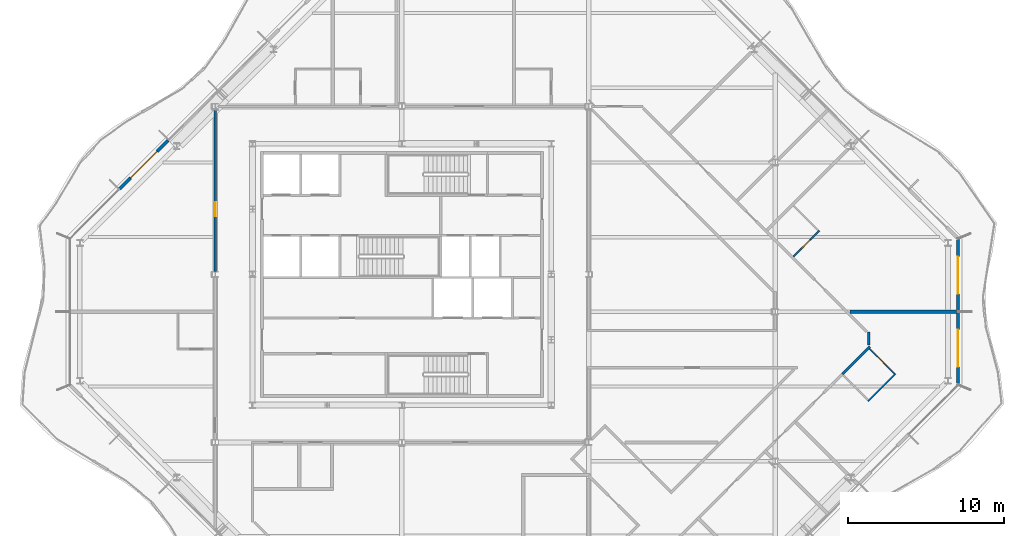
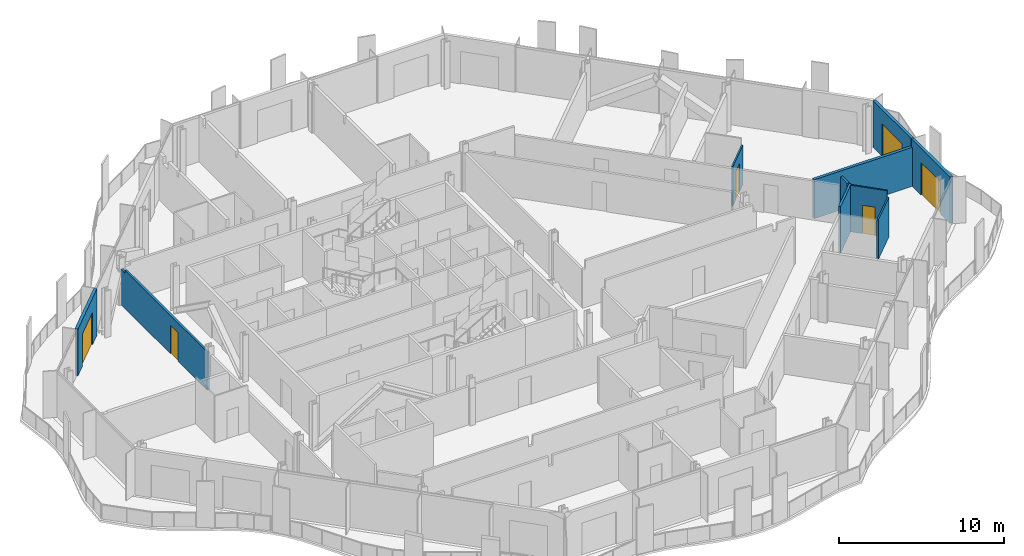
# One storey, part 10 of 17: 10 walls, 6 doors, 6 openings.
"""IFC4 building model written with IfcOpenShell, lengths in metres."""

from ifc_helpers import new_model, si_unit, direction, frame, frame_2d, origin, place, context, subcontext, project, spatial, polyline, rectangle, outline, extrude, material, layer, layer_set, type_object, element, fill, save


model = new_model("IFC4")

# Units and contexts
model_context = context("Model", 3, precision=1e-05, world=origin(), true_north=direction((0.0, 1.0)))
body_context = subcontext(model_context, "Body", "Model", "MODEL_VIEW")
ifc_project = project(units=[si_unit("LENGTHUNIT", "METRE"), si_unit("AREAUNIT", "SQUARE_METRE"), si_unit("VOLUMEUNIT", "CUBIC_METRE"), si_unit("PLANEANGLEUNIT", "RADIAN"), si_unit("MASSUNIT", "GRAM", prefix="KILO")], contexts=[model_context])

# Site, building, storey
site_placement = place(None, origin())
site = spatial("IfcSite", under=ifc_project, at=site_placement, CompositionType="ELEMENT")
building_placement = place(site_placement, origin())
building = spatial("IfcBuilding", under=site, at=building_placement, Name="Cairn Pilgrim Tower", CompositionType="ELEMENT")
storey_placement = place(building_placement, frame((0.0, 0.0, 235.800048828125)))
storey = spatial("IfcBuildingStorey", under=building, at=storey_placement, Name="L60", CompositionType="ELEMENT", Elevation=235.800048828125)

# Wall, opening, door
ifc_material_1 = material(Name="Bronze anodised aluminium insulated sandwich panel with mineral wool fill", Category="aluminium")
ifc_layer_1 = layer(ifc_material_1, 0.199951171875)
ifc_layer_set_1 = layer_set([ifc_layer_1], Name="BRONZE INFILL FRAME WALL 200")
wall_type_1 = type_object("IfcWallType", Name="BRONZE INFILL FRAME WALL 200", PredefinedType="NOTDEFINED", material=ifc_layer_set_1)
wall_1_placement = place(storey_placement, frame((42.949951171875, -4.656494140625, 0.0), z_axis=(0.0, 0.0, 1.0), x_axis=(0.0, 1.0, 0.0)))
wall_1 = element("IfcWall", 1, at=wall_1_placement, inside=storey, type_object=wall_type_1, Name="Bronze infill frame wall IW-E1", PredefinedType="NOTDEFINED", context=body_context, shape_type="SweptSolid", body=[
    extrude(rectangle(XDim=4.62646484375, YDim=0.199951171875, at=frame_2d((2.313232421875, 0.0))), origin(), (0.0, 0.0, 1.0), 3.449951171875),
])
opening_1_placement = place(wall_1_placement, frame((1.1083984375, 0.0, 0.0)))
opening_1 = element("IfcOpeningElement", 2, at=opening_1_placement, cuts=wall_1, Name="Opening 6004B", PredefinedType="OPENING", context=body_context, shape_type="SweptSolid", body=[
    extrude(rectangle(XDim=2.39990234375, YDim=2.39990234375, at=frame_2d((1.199951171875, 1.199951171875))), frame((0.0, 0.10986328125, 0.0), z_axis=(0.0, -1.0, 0.0), x_axis=(1.0, 0.0, 0.0)), (0.0, 0.0, 1.0), 0.219970703125),
])
ifc_material_2 = material(Name="Bronze anodised aluminium frame with tinted low-E glass", Category="aluminium")
door_type_1 = type_object("IfcDoorType", Name="BALCONY SLIDING DOOR 2400x2400", OperationType="DOUBLE_DOOR_SLIDING", PredefinedType="DOOR", material=ifc_material_2)
door_1_placement = place(opening_1_placement, origin())
door_1 = element("IfcDoor", 3, at=door_1_placement, inside=storey, type_object=door_type_1, Name="Balcony sliding door 6004B", OperationType="SINGLE_SWING_LEFT", OverallHeight=2.39990234375, OverallWidth=2.39990234375, PredefinedType="DOOR", context=body_context, shape_type="SweptSolid", body=[
    extrude(rectangle(XDim=2.39990234375, YDim=2.39990234375, at=frame_2d((1.199951171875, 1.199951171875))), frame((0.0, 0.02490234375, 0.0), z_axis=(0.0, -1.0, 0.0), x_axis=(1.0, 0.0, 0.0)), (0.0, 0.0, 1.0), 0.050048828125),
])
fill(opening_1, door_1)

wall_2_placement = place(storey_placement, frame((42.949951171875, 0.030029296875, 0.0), z_axis=(0.0, 0.0, 1.0), x_axis=(0.0, 1.0, 0.0)))
wall_2 = element("IfcWall", 4, at=wall_2_placement, inside=storey, type_object=wall_type_1, Name="Bronze infill frame wall IW-E2", PredefinedType="NOTDEFINED", context=body_context, shape_type="SweptSolid", body=[
    extrude(rectangle(XDim=4.62646484375, YDim=0.199951171875, at=frame_2d((2.313232421875, 0.0))), origin(), (0.0, 0.0, 1.0), 3.449951171875),
])
opening_2_placement = place(wall_2_placement, frame((1.117919921875, 0.0, 0.0)))
opening_2 = element("IfcOpeningElement", 5, at=opening_2_placement, cuts=wall_2, Name="Opening 6005B2", PredefinedType="OPENING", context=body_context, shape_type="SweptSolid", body=[
    extrude(rectangle(XDim=2.39990234375, YDim=2.39990234375, at=frame_2d((1.199951171875, 1.199951171875))), frame((0.0, 0.10986328125, 0.0), z_axis=(0.0, -1.0, 0.0), x_axis=(1.0, 0.0, 0.0)), (0.0, 0.0, 1.0), 0.219970703125),
])
door_2_placement = place(opening_2_placement, origin())
door_2 = element("IfcDoor", 6, at=door_2_placement, inside=storey, type_object=door_type_1, Name="Balcony sliding door 6005B2", OperationType="SINGLE_SWING_LEFT", OverallHeight=2.39990234375, OverallWidth=2.39990234375, PredefinedType="DOOR", context=body_context, shape_type="SweptSolid", body=[
    extrude(rectangle(XDim=2.39990234375, YDim=2.39990234375, at=frame_2d((1.199951171875, 1.199951171875))), frame((0.0, 0.02490234375, 0.0), z_axis=(0.0, -1.0, 0.0), x_axis=(1.0, 0.0, 0.0)), (0.0, 0.0, 1.0), 0.050048828125),
])
fill(opening_2, door_2)

wall_3_placement = place(storey_placement, frame((-7.820068359375, 11.0263671875, 0.0), z_axis=(0.0, 0.0, 1.0), x_axis=(-0.707106781187, -0.707106781187, 0.0)))
wall_3 = element("IfcWall", 7, at=wall_3_placement, inside=storey, type_object=wall_type_1, Name="Bronze infill frame wall IW-NW5", PredefinedType="NOTDEFINED", context=body_context, shape_type="SweptSolid", body=[
    extrude(rectangle(XDim=4.430908203125, YDim=0.199951171875, at=frame_2d((2.21533203125, 0.0))), origin(), (0.0, 0.0, 1.0), 3.449951171875),
])
opening_3_placement = place(wall_3_placement, frame((1.015869140625, 0.0, 0.0)))
opening_3 = element("IfcOpeningElement", 8, at=opening_3_placement, cuts=wall_3, Name="Opening 6011B", PredefinedType="OPENING", context=body_context, shape_type="SweptSolid", body=[
    extrude(rectangle(XDim=2.39990234375, YDim=2.39990234375, at=frame_2d((1.199951171875, 1.199951171875))), frame((0.0, 0.10986328125, 0.0), z_axis=(0.0, -1.0, 0.0), x_axis=(1.0, 0.0, 0.0)), (0.0, 0.0, 1.0), 0.219970703125),
])
door_3_placement = place(opening_3_placement, origin())
door_3 = element("IfcDoor", 9, at=door_3_placement, inside=storey, type_object=door_type_1, Name="Balcony sliding door 6011B", OperationType="SINGLE_SWING_LEFT", OverallHeight=2.39990234375, OverallWidth=2.39990234375, PredefinedType="DOOR", context=body_context, shape_type="SweptSolid", body=[
    extrude(rectangle(XDim=2.39990234375, YDim=2.39990234375, at=frame_2d((1.199951171875, 1.199951171875))), frame((0.0, 0.02490234375, 0.0), z_axis=(0.0, -1.0, 0.0), x_axis=(1.0, 0.0, 0.0)), (0.0, 0.0, 1.0), 0.050048828125),
])
fill(opening_3, door_3)

# Wall
ifc_material_3 = material(Name="Gypsum partition")
ifc_layer_2 = layer(ifc_material_3, 0.10009765625)
ifc_layer_set_2 = layer_set([ifc_layer_2], Name="PARTITION 100 DRYWALL")
wall_type_2 = type_object("IfcWallType", Name="PARTITION 100 DRYWALL", PredefinedType="PARTITIONING", material=ifc_layer_set_2)
wall_4_placement = place(storey_placement, frame((37.16455078125, -5.744384765625, 0.0), z_axis=(0.0, 0.0, 1.0), x_axis=(0.707155609469, 0.707057949532, 0.0)))
element("IfcWall", 10, at=wall_4_placement, inside=storey, type_object=wall_type_2, Name="PARTITION W043", PredefinedType="PARTITIONING", context=body_context, shape_type="SweptSolid", body=[
    extrude(rectangle(XDim=2.5, YDim=0.10009765625, at=frame_2d((1.25, 0.0))), origin(), (0.0, 0.0, 1.0), 2.929931640625),
])

# Wall, opening, door
wall_5_placement = place(storey_placement, frame((38.861572265625, -3.9765625, 0.0), z_axis=(0.0, 0.0, 1.0), x_axis=(-0.707106781187, 0.707106781187, 0.0)))
wall_5 = element("IfcWall", 11, at=wall_5_placement, inside=storey, type_object=wall_type_2, Name="PARTITION W045", PredefinedType="PARTITIONING", context=body_context, shape_type="SweptSolid", body=[
    extrude(rectangle(XDim=2.27490234375, YDim=0.10009765625, at=frame_2d((1.137451171875, 0.0))), origin(), (0.0, 0.0, 1.0), 3.449951171875),
])
opening_4_placement = place(wall_5_placement, frame((0.75, 0.0, 0.0)))
opening_4 = element("IfcOpeningElement", 12, at=opening_4_placement, cuts=wall_5, Name="Opening 6004A", PredefinedType="OPENING", context=body_context, shape_type="SweptSolid", body=[
    extrude(rectangle(XDim=0.800048828125, YDim=2.10009765625, at=frame_2d((0.39990234375, 1.050048828125))), frame((0.0, 0.06005859375, 0.0), z_axis=(0.0, -1.0, 0.0), x_axis=(1.0, 0.0, 0.0)), (0.0, 0.0, 1.0), 0.1201171875),
])
ifc_material_4 = material(Name="Timber door leaf", Category="wood")
door_type_2 = type_object("IfcDoorType", Name="WC DOOR 800x2100", OperationType="NOTDEFINED", PredefinedType="DOOR", material=ifc_material_4)
door_4_placement = place(opening_4_placement, frame((0.800048828125, 0.0, 0.0), z_axis=(0.0, 0.0, 1.0), x_axis=(-1.0, 0.0, 0.0)))
door_4 = element("IfcDoor", 13, at=door_4_placement, inside=storey, type_object=door_type_2, Name="DOOR 6004A", OperationType="SINGLE_SWING_RIGHT", OverallHeight=2.10009765625, OverallWidth=0.800048828125, PredefinedType="DOOR", context=body_context, shape_type="SweptSolid", body=[
    extrude(rectangle(XDim=0.800048828125, YDim=2.10009765625, at=frame_2d((0.39990234375, 1.050048828125))), frame((0.0, 0.02490234375, 0.0), z_axis=(0.0, -1.0, 0.0), x_axis=(1.0, 0.0, 0.0)), (0.0, 0.0, 1.0), 0.050048828125),
])
fill(opening_4, door_4)

wall_6_placement = place(storey_placement, frame((32.35888671875, 3.541015625, 0.0), z_axis=(0.0, 0.0, 1.0), x_axis=(0.707158179099, 0.707055379538, 0.0)))
wall_6 = element("IfcWall", 14, at=wall_6_placement, inside=storey, type_object=wall_type_2, Name="PARTITION W060", PredefinedType="PARTITIONING", context=body_context, shape_type="SweptSolid", body=[
    extrude(rectangle(XDim=2.375, YDim=0.10009765625, at=frame_2d((1.1875, 0.0))), origin(), (0.0, 0.0, 1.0), 2.929931640625),
])
opening_5_placement = place(wall_6_placement, frame((0.72509765625, 0.0, 0.0)))
opening_5 = element("IfcOpeningElement", 15, at=opening_5_placement, cuts=wall_6, Name="Opening 6005A", PredefinedType="OPENING", context=body_context, shape_type="SweptSolid", body=[
    extrude(rectangle(XDim=0.800048828125, YDim=2.10009765625, at=frame_2d((0.39990234375, 1.050048828125))), frame((0.0, 0.06005859375, 0.0), z_axis=(0.0, -1.0, 0.0), x_axis=(1.0, 0.0, 0.0)), (0.0, 0.0, 1.0), 0.1201171875),
])
door_5_placement = place(opening_5_placement, frame((0.800048828125, 0.0, 0.0), z_axis=(0.0, 0.0, 1.0), x_axis=(-1.0, 0.0, 0.0)))
door_5 = element("IfcDoor", 16, at=door_5_placement, inside=storey, type_object=door_type_2, Name="DOOR 6005A", OperationType="SINGLE_SWING_RIGHT", OverallHeight=2.10009765625, OverallWidth=0.800048828125, PredefinedType="DOOR", context=body_context, shape_type="SweptSolid", body=[
    extrude(rectangle(XDim=0.800048828125, YDim=2.10009765625, at=frame_2d((0.39990234375, 1.050048828125))), frame((0.0, 0.02490234375, 0.0), z_axis=(0.0, -1.0, 0.0), x_axis=(1.0, 0.0, 0.0)), (0.0, 0.0, 1.0), 0.050048828125),
])
fill(opening_5, door_5)

# Walls
ifc_layer_3 = layer(ifc_material_3, 0.14990234375)
ifc_layer_set_3 = layer_set([ifc_layer_3], Name="PARTITION 150 DRYWALL EI 60")
wall_type_3 = type_object("IfcWallType", Name="PARTITION 150 DRYWALL EI 60", PredefinedType="PARTITIONING", material=ifc_layer_set_3)
wall_7_placement = place(storey_placement, frame((35.5029296875, -4.011962890625, 0.0), z_axis=(0.0, 0.0, 1.0), x_axis=(0.707106781187, 0.707106781187, 0.0)))
element("IfcWall", 17, at=wall_7_placement, inside=storey, type_object=wall_type_3, Name="PARTITION W044", PredefinedType="PARTITIONING", context=body_context, shape_type="SweptSolid", body=[
    extrude(rectangle(XDim=2.505859375, YDim=0.14990234375, at=frame_2d((1.2529296875, 0.0))), origin(), (0.0, 0.0, 1.0), 3.449951171875),
])
wall_8_placement = place(storey_placement, frame((37.199951171875, -2.1337890625, 0.0), z_axis=(0.0, 0.0, 1.0), x_axis=(0.0, 1.0, 0.0)))
element("IfcWall", 18, at=wall_8_placement, inside=storey, type_object=wall_type_3, Name="PARTITION W049", PredefinedType="PARTITIONING", context=body_context, shape_type="SweptSolid", body=[
    extrude(rectangle(XDim=0.833984375, YDim=0.14990234375, at=frame_2d((0.4169921875, 0.0))), origin(), (0.0, 0.0, 1.0), 3.449951171875),
])

# Wall, opening, door
wall_9_placement = place(storey_placement, frame((-4.800048828125, 2.58740234375, 0.0), z_axis=(0.0, 0.0, 1.0), x_axis=(0.0, 1.0, 0.0)))
wall_9 = element("IfcWall", 19, at=wall_9_placement, inside=storey, type_object=wall_type_3, Name="PARTITION W058", PredefinedType="PARTITIONING", context=body_context, shape_type="SweptSolid", body=[
    extrude(outline(polyline([(0.0, 0.0), (10.425048828125, 0.0), (10.425048828125, 2.6298828125), (9.9697265625, 2.6298828125), (9.9677734375, 2.829833984375), (0.0, 2.829833984375), (0.0, 0.0)])), frame((0.0, 0.074951171875, 0.0), z_axis=(0.0, -1.0, 0.0), x_axis=(1.0, 0.0, 0.0)), (0.0, 0.0, 1.0), 0.14990234375),
])
opening_6_placement = place(wall_9_placement, frame((3.5625, 0.0, 0.0)))
opening_6 = element("IfcOpeningElement", 20, at=opening_6_placement, cuts=wall_9, Name="Opening 6011", PredefinedType="OPENING", context=body_context, shape_type="SweptSolid", body=[
    extrude(rectangle(XDim=0.89990234375, YDim=2.10009765625, at=frame_2d((0.449951171875, 1.050048828125))), frame((0.0, 0.0849609375, 0.0), z_axis=(0.0, -1.0, 0.0), x_axis=(1.0, 0.0, 0.0)), (0.0, 0.0, 1.0), 0.169921875),
])
door_type_3 = type_object("IfcDoorType", Name="ROOM DOOR 900x2100 FD30S", OperationType="NOTDEFINED", PredefinedType="DOOR", material=ifc_material_4)
door_6_placement = place(opening_6_placement, origin())
door_6 = element("IfcDoor", 21, at=door_6_placement, inside=storey, type_object=door_type_3, Name="DOOR 6011", OperationType="SINGLE_SWING_LEFT", OverallHeight=2.10009765625, OverallWidth=0.89990234375, PredefinedType="DOOR", context=body_context, shape_type="SweptSolid", body=[
    extrude(rectangle(XDim=0.89990234375, YDim=2.10009765625, at=frame_2d((0.449951171875, 1.050048828125))), frame((0.0, 0.02490234375, 0.0), z_axis=(0.0, -1.0, 0.0), x_axis=(1.0, 0.0, 0.0)), (0.0, 0.0, 1.0), 0.050048828125),
])
fill(opening_6, door_6)

# Wall
ifc_layer_4 = layer(ifc_material_3, 0.199951171875)
ifc_layer_set_4 = layer_set([ifc_layer_4], Name="SHAFT WALL 200 GYPSUM EI 60")
wall_type_4 = type_object("IfcWallType", Name="SHAFT WALL 200 GYPSUM EI 60", PredefinedType="PARTITIONING", material=ifc_layer_set_4)
wall_10_placement = place(storey_placement, frame((36.0, 0.0, 0.0), z_axis=(0.0, 0.0, 1.0), x_axis=(1.0, 0.0, 0.0)))
element("IfcWall", 22, at=wall_10_placement, inside=storey, type_object=wall_type_4, Name="PARTITION W055", PredefinedType="PARTITIONING", context=body_context, shape_type="SweptSolid", body=[
    extrude(rectangle(XDim=6.85009765625, YDim=0.199951171875, at=frame_2d((3.425048828125, 0.0))), origin(), (0.0, 0.0, 1.0), 2.8798828125),
])

save(model, "model.ifc")
